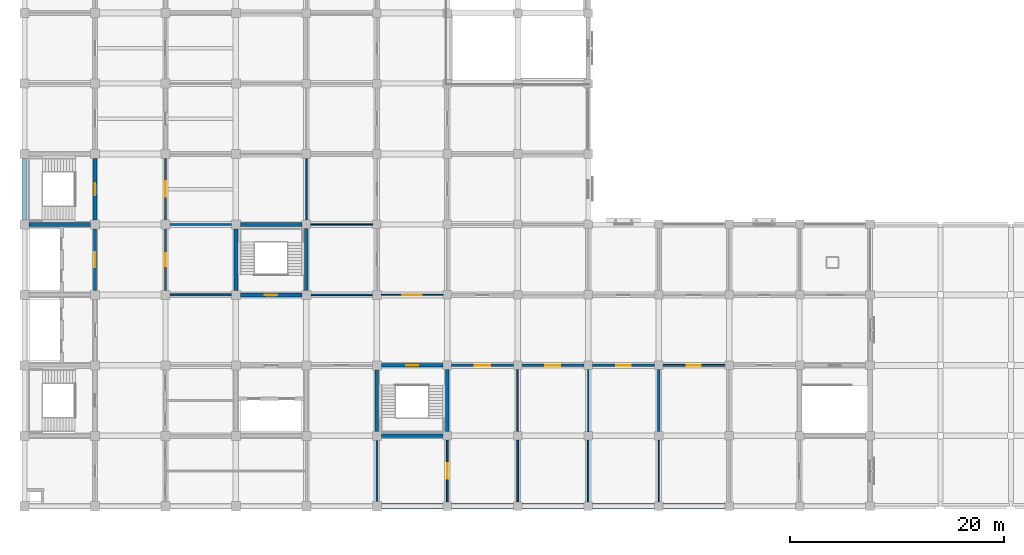
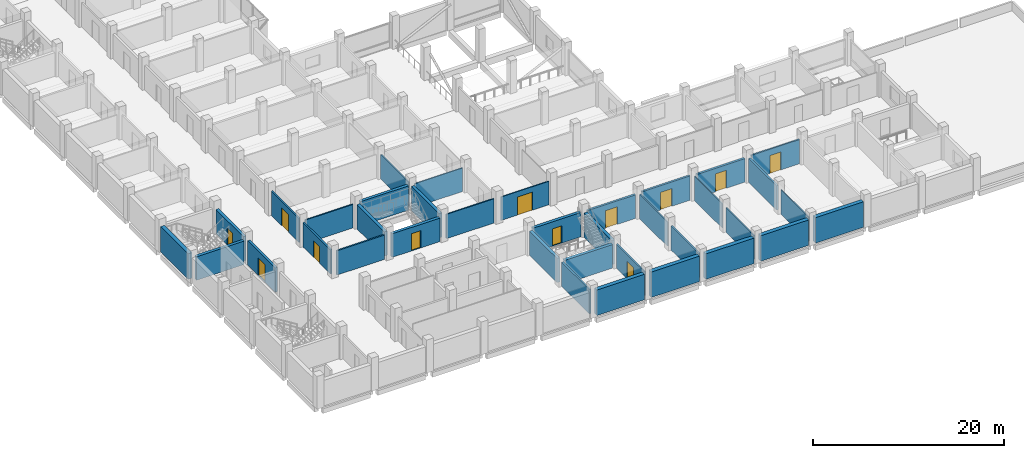
# One storey, part 18 of 30: 37 walls, 12 doors, 12 openings.
"""IFC4 building model written with IfcOpenShell, lengths in metres."""

from ifc_helpers import new_model, si_unit, direction, frame, frame_2d, origin, place, context, subcontext, project, spatial, rectangle, extrude, material, layer, layer_set, type_object, element, fill, save


model = new_model("IFC4")

# Units and contexts
model_context = context("Model", 3, precision=1e-05, world=origin(), true_north=direction((0.0, 1.0)))
body_context = subcontext(model_context, "Body", "Model", "MODEL_VIEW")
ifc_project = project(units=[si_unit("LENGTHUNIT", "METRE"), si_unit("AREAUNIT", "SQUARE_METRE"), si_unit("VOLUMEUNIT", "CUBIC_METRE"), si_unit("PLANEANGLEUNIT", "RADIAN"), si_unit("MASSUNIT", "GRAM", prefix="KILO")], contexts=[model_context])

# Site, building, storey
site_placement = place(None, origin())
site = spatial("IfcSite", under=ifc_project, at=site_placement, CompositionType="ELEMENT")
building_placement = place(site_placement, origin())
building = spatial("IfcBuilding", under=site, at=building_placement, Name="Rusizi Kubbe Research Institute", CompositionType="ELEMENT")
storey_placement = place(building_placement, frame((0.0, 0.0, 10.199951171875)))
storey = spatial("IfcBuildingStorey", under=building, at=storey_placement, Name="L02", CompositionType="ELEMENT", Elevation=10.199951171875)

# Wall
ifc_material_1 = material(Name="Concrete C45/55", Category="concrete")
ifc_layer_1 = layer(ifc_material_1, 0.35009765625)
ifc_layer_set_1 = layer_set([ifc_layer_1], Name="Concrete C45/55")
wall_type_1 = type_object("IfcWallType", Name="CRW-01", PredefinedType="SHEAR", material=ifc_layer_set_1)
wall_1_placement = place(storey_placement, frame((0.425048828125, 26.39990234375, 0.0), z_axis=(0.0, 0.0, 1.0), x_axis=(1.0, 0.0, 0.0)))
element("IfcWall", 1, at=wall_1_placement, inside=storey, type_object=wall_type_1, Name="Stair Core Shear Wall ST2 L02 S", PredefinedType="SHEAR", context=body_context, shape_type="SweptSolid", body=[
    extrude(rectangle(XDim=5.75, YDim=0.35009765625, at=frame_2d((2.875, 0.0))), origin(), (0.0, 0.0, 1.0), 3.0),
])

# Wall, opening, door
wall_2_placement = place(storey_placement, frame((6.60009765625, 26.824951171875, 0.0), z_axis=(0.0, 0.0, 1.0), x_axis=(0.0, 1.0, 0.0)))
wall_2 = element("IfcWall", 2, at=wall_2_placement, inside=storey, type_object=wall_type_1, Name="Stair Core Shear Wall ST2 L02 E", PredefinedType="SHEAR", context=body_context, shape_type="SweptSolid", body=[
    extrude(rectangle(XDim=5.75, YDim=0.35009765625, at=frame_2d((2.875, 0.0))), origin(), (0.0, 0.0, 1.0), 3.10009765625),
])
opening_1_placement = place(wall_2_placement, frame((2.300048828125, 0.0, 0.0)))
opening_1 = element("IfcOpeningElement", 3, at=opening_1_placement, cuts=wall_2, Name="Opening D-02", PredefinedType="OPENING", context=body_context, shape_type="SweptSolid", body=[
    extrude(rectangle(XDim=1.14990234375, YDim=2.199951171875, at=frame_2d((0.574951171875, 1.10009765625))), frame((0.0, 0.18505859375, 0.0), z_axis=(0.0, -1.0, 0.0), x_axis=(1.0, 0.0, 0.0)), (0.0, 0.0, 1.0), 0.3701171875),
])
ifc_material_2 = material(Name="Fire-Rated Steel Frame and Acoustic Timber Leaf", Category="wood")
door_type_1 = type_object("IfcDoorType", Name="ID-STAIR-115", OperationType="NOTDEFINED", PredefinedType="DOOR", material=ifc_material_2)
door_1_placement = place(opening_1_placement, origin())
door_1 = element("IfcDoor", 4, at=door_1_placement, inside=storey, type_object=door_type_1, Name="Exit Stair Door ST2 L02", OperationType="SINGLE_SWING_RIGHT", OverallHeight=2.199951171875, OverallWidth=1.14990234375, PredefinedType="DOOR", context=body_context, shape_type="SweptSolid", body=[
    extrude(rectangle(XDim=1.14990234375, YDim=2.199951171875, at=frame_2d((0.574951171875, 1.10009765625))), frame((0.0, 0.02490234375, 0.0), z_axis=(0.0, -1.0, 0.0), x_axis=(1.0, 0.0, 0.0)), (0.0, 0.0, 1.0), 0.050048828125),
])
fill(opening_1, door_1)

wall_3_placement = place(storey_placement, frame((20.22509765625, 19.800048828125, 0.0), z_axis=(0.0, 0.0, 1.0), x_axis=(1.0, 0.0, 0.0)))
wall_3 = element("IfcWall", 5, at=wall_3_placement, inside=storey, type_object=wall_type_1, Name="Stair Core Shear Wall ST3 L02 S", PredefinedType="SHEAR", context=body_context, shape_type="SweptSolid", body=[
    extrude(rectangle(XDim=5.75, YDim=0.35009765625, at=frame_2d((2.875, 0.0))), origin(), (0.0, 0.0, 1.0), 3.0),
])
opening_2_placement = place(wall_3_placement, frame((2.300048828125, 0.0, 0.0)))
opening_2 = element("IfcOpeningElement", 6, at=opening_2_placement, cuts=wall_3, Name="Opening D-02", PredefinedType="OPENING", context=body_context, shape_type="SweptSolid", body=[
    extrude(rectangle(XDim=1.14990234375, YDim=2.199951171875, at=frame_2d((0.574951171875, 1.10009765625))), frame((0.0, 0.18505859375, 0.0), z_axis=(0.0, -1.0, 0.0), x_axis=(1.0, 0.0, 0.0)), (0.0, 0.0, 1.0), 0.3701171875),
])
door_2_placement = place(opening_2_placement, origin())
door_2 = element("IfcDoor", 7, at=door_2_placement, inside=storey, type_object=door_type_1, Name="Exit Stair Door ST3 L02", OperationType="SINGLE_SWING_RIGHT", OverallHeight=2.199951171875, OverallWidth=1.14990234375, PredefinedType="DOOR", context=body_context, shape_type="SweptSolid", body=[
    extrude(rectangle(XDim=1.14990234375, YDim=2.199951171875, at=frame_2d((0.574951171875, 1.10009765625))), frame((0.0, 0.02490234375, 0.0), z_axis=(0.0, -1.0, 0.0), x_axis=(1.0, 0.0, 0.0)), (0.0, 0.0, 1.0), 0.050048828125),
])
fill(opening_2, door_2)

# Walls
wall_4_placement = place(storey_placement, frame((20.22509765625, 26.39990234375, 0.0), z_axis=(0.0, 0.0, 1.0), x_axis=(1.0, 0.0, 0.0)))
element("IfcWall", 8, at=wall_4_placement, inside=storey, type_object=wall_type_1, Name="Stair Core Shear Wall ST3 L02 N", PredefinedType="SHEAR", context=body_context, shape_type="SweptSolid", body=[
    extrude(rectangle(XDim=5.77490234375, YDim=0.35009765625, at=frame_2d((2.887451171875, 0.0))), origin(), (0.0, 0.0, 1.0), 3.10009765625),
])
wall_5_placement = place(storey_placement, frame((19.800048828125, 20.22509765625, 0.0), z_axis=(0.0, 0.0, 1.0), x_axis=(0.0, 1.0, 0.0)))
element("IfcWall", 9, at=wall_5_placement, inside=storey, type_object=wall_type_1, Name="Stair Core Shear Wall ST3 L02 W", PredefinedType="SHEAR", context=body_context, shape_type="SweptSolid", body=[
    extrude(rectangle(XDim=5.75, YDim=0.35009765625, at=frame_2d((2.875, 0.0))), origin(), (0.0, 0.0, 1.0), 3.10009765625),
])
wall_6_placement = place(storey_placement, frame((26.39990234375, 20.22509765625, 0.0), z_axis=(0.0, 0.0, 1.0), x_axis=(0.0, 1.0, 0.0)))
element("IfcWall", 10, at=wall_6_placement, inside=storey, type_object=wall_type_1, Name="Stair Core Shear Wall ST3 L02 E", PredefinedType="SHEAR", context=body_context, shape_type="SweptSolid", body=[
    extrude(rectangle(XDim=5.77490234375, YDim=0.35009765625, at=frame_2d((2.887451171875, 0.0))), origin(), (0.0, 0.0, 1.0), 3.10009765625),
])
wall_7_placement = place(storey_placement, frame((33.425048828125, 6.60009765625, 0.0), z_axis=(0.0, 0.0, 1.0), x_axis=(1.0, 0.0, 0.0)))
element("IfcWall", 11, at=wall_7_placement, inside=storey, type_object=wall_type_1, Name="Stair Core Shear Wall ST4 L02 S", PredefinedType="SHEAR", context=body_context, shape_type="SweptSolid", body=[
    extrude(rectangle(XDim=5.77490234375, YDim=0.35009765625, at=frame_2d((2.887451171875, 0.0))), origin(), (0.0, 0.0, 1.0), 3.0),
])

# Wall, opening, door
wall_8_placement = place(storey_placement, frame((33.425048828125, 13.199951171875, 0.0), z_axis=(0.0, 0.0, 1.0), x_axis=(1.0, 0.0, 0.0)))
wall_8 = element("IfcWall", 12, at=wall_8_placement, inside=storey, type_object=wall_type_1, Name="Stair Core Shear Wall ST4 L02 N", PredefinedType="SHEAR", context=body_context, shape_type="SweptSolid", body=[
    extrude(rectangle(XDim=5.77490234375, YDim=0.35009765625, at=frame_2d((2.887451171875, 0.0))), origin(), (0.0, 0.0, 1.0), 3.10009765625),
])
opening_3_placement = place(wall_8_placement, frame((2.3125, 0.0, 0.0)))
opening_3 = element("IfcOpeningElement", 13, at=opening_3_placement, cuts=wall_8, Name="Opening D-02", PredefinedType="OPENING", context=body_context, shape_type="SweptSolid", body=[
    extrude(rectangle(XDim=1.14990234375, YDim=2.199951171875, at=frame_2d((0.574951171875, 1.10009765625))), frame((0.0, 0.18505859375, 0.0), z_axis=(0.0, -1.0, 0.0), x_axis=(1.0, 0.0, 0.0)), (0.0, 0.0, 1.0), 0.3701171875),
])
door_3_placement = place(opening_3_placement, origin())
door_3 = element("IfcDoor", 14, at=door_3_placement, inside=storey, type_object=door_type_1, Name="Exit Stair Door ST4 L02", OperationType="SINGLE_SWING_RIGHT", OverallHeight=2.199951171875, OverallWidth=1.14990234375, PredefinedType="DOOR", context=body_context, shape_type="SweptSolid", body=[
    extrude(rectangle(XDim=1.14990234375, YDim=2.199951171875, at=frame_2d((0.574951171875, 1.10009765625))), frame((0.0, 0.02490234375, 0.0), z_axis=(0.0, -1.0, 0.0), x_axis=(1.0, 0.0, 0.0)), (0.0, 0.0, 1.0), 0.050048828125),
])
fill(opening_3, door_3)

# Walls
wall_9_placement = place(storey_placement, frame((33.0, 7.02490234375, 0.0), z_axis=(0.0, 0.0, 1.0), x_axis=(0.0, 1.0, 0.0)))
element("IfcWall", 15, at=wall_9_placement, inside=storey, type_object=wall_type_1, Name="Stair Core Shear Wall ST4 L02 W", PredefinedType="SHEAR", context=body_context, shape_type="SweptSolid", body=[
    extrude(rectangle(XDim=5.75, YDim=0.35009765625, at=frame_2d((2.875, 0.0))), origin(), (0.0, 0.0, 1.0), 3.10009765625),
])
wall_10_placement = place(storey_placement, frame((39.60009765625, 7.0, 0.0), z_axis=(0.0, 0.0, 1.0), x_axis=(0.0, 1.0, 0.0)))
element("IfcWall", 16, at=wall_10_placement, inside=storey, type_object=wall_type_1, Name="Stair Core Shear Wall ST4 L02 E", PredefinedType="SHEAR", context=body_context, shape_type="SweptSolid", body=[
    extrude(rectangle(XDim=5.800048828125, YDim=0.35009765625, at=frame_2d((2.89990234375, 0.0))), origin(), (0.0, 0.0, 1.0), 3.10009765625),
])

# Wall, opening, door
ifc_material_3 = material(Name="Concrete Blockwork Fire Partition", Category="masonry")
ifc_layer_2 = layer(ifc_material_3, 0.22509765625)
ifc_layer_set_2 = layer_set([ifc_layer_2], Name="Concrete Blockwork Fire Partition")
wall_type_2 = type_object("IfcWallType", Name="IW-01", PredefinedType="PARTITIONING", material=ifc_layer_set_2)
wall_11_placement = place(storey_placement, frame((46.60009765625, 13.199951171875, 0.0), z_axis=(0.0, 0.0, 1.0), x_axis=(1.0, 0.0, 0.0)))
wall_11 = element("IfcWall", 17, at=wall_11_placement, inside=storey, type_object=wall_type_2, Name="Interior Partition Wall L02 H7-2", PredefinedType="PARTITIONING", context=body_context, shape_type="SweptSolid", body=[
    extrude(rectangle(XDim=5.7998046875, YDim=0.22509765625, at=frame_2d((2.89990234375, 0.0))), origin(), (0.0, 0.0, 1.0), 3.10009765625),
])
opening_4_placement = place(wall_11_placement, frame((2.199951171875, 0.0, 0.0)))
opening_4 = element("IfcOpeningElement", 18, at=opening_4_placement, cuts=wall_11, Name="Opening D-12", PredefinedType="OPENING", context=body_context, shape_type="SweptSolid", body=[
    extrude(rectangle(XDim=1.39990234375, YDim=2.25, at=frame_2d((0.699951171875, 1.125))), frame((0.0, 0.12255859375, 0.0), z_axis=(0.0, -1.0, 0.0), x_axis=(1.0, 0.0, 0.0)), (0.0, 0.0, 1.0), 0.2451171875),
])
ifc_material_4 = material(Name="Fire-Rated Steel Frame and Acoustic Timber Leaf", Category="wood")
door_type_2 = type_object("IfcDoorType", Name="ID-LAB-140", OperationType="NOTDEFINED", PredefinedType="DOOR", material=ifc_material_4)
door_4_placement = place(opening_4_placement, origin())
door_4 = element("IfcDoor", 19, at=door_4_placement, inside=storey, type_object=door_type_2, Name="Door to Catalysis Wet Laboratory (L02-EWS-03)", OperationType="SINGLE_SWING_RIGHT", OverallHeight=2.25, OverallWidth=1.39990234375, PredefinedType="DOOR", context=body_context, shape_type="SweptSolid", body=[
    extrude(rectangle(XDim=1.39990234375, YDim=2.25, at=frame_2d((0.699951171875, 1.125))), frame((0.0, 0.02490234375, 0.0), z_axis=(0.0, -1.0, 0.0), x_axis=(1.0, 0.0, 0.0)), (0.0, 0.0, 1.0), 0.050048828125),
])
fill(opening_4, door_4)

# Wall
wall_12_placement = place(storey_placement, frame((59.39990234375, 7.0, 0.0), z_axis=(0.0, 0.0, 1.0), x_axis=(0.0, 1.0, 0.0)))
element("IfcWall", 20, at=wall_12_placement, inside=storey, type_object=wall_type_2, Name="Interior Partition Wall L02 V9-1", PredefinedType="PARTITIONING", context=body_context, shape_type="SweptSolid", body=[
    extrude(rectangle(XDim=5.800048828125, YDim=0.22509765625, at=frame_2d((2.89990234375, 0.0))), origin(), (0.0, 0.0, 1.0), 3.10009765625),
])

# Wall, opening, door
ifc_material_5 = material(Name="Insulated Cleanroom Partition", Category="masonry")
ifc_layer_3 = layer(ifc_material_5, 0.195068359375)
ifc_layer_set_3 = layer_set([ifc_layer_3], Name="Insulated Cleanroom Partition")
wall_type_3 = type_object("IfcWallType", Name="IW-02", PredefinedType="PARTITIONING", material=ifc_layer_set_3)
wall_13_placement = place(storey_placement, frame((13.199951171875, 20.22509765625, 0.0), z_axis=(0.0, 0.0, 1.0), x_axis=(0.0, 1.0, 0.0)))
wall_13 = element("IfcWall", 21, at=wall_13_placement, inside=storey, type_object=wall_type_3, Name="Interior Partition Wall L02 V2-3", PredefinedType="PARTITIONING", context=body_context, shape_type="SweptSolid", body=[
    extrude(rectangle(XDim=5.75, YDim=0.195068359375, at=frame_2d((2.875, 0.0))), origin(), (0.0, 0.0, 1.0), 3.10009765625),
])
opening_5_placement = place(wall_13_placement, frame((2.264892578125, 0.0, 0.0)))
opening_5 = element("IfcOpeningElement", 22, at=opening_5_placement, cuts=wall_13, Name="Opening D-21", PredefinedType="OPENING", context=body_context, shape_type="SweptSolid", body=[
    extrude(rectangle(XDim=1.219970703125, YDim=2.14990234375, at=frame_2d((0.60986328125, 1.074951171875))), frame((0.0, 0.107421875, 0.0), z_axis=(0.0, -1.0, 0.0), x_axis=(1.0, 0.0, 0.0)), (0.0, 0.0, 1.0), 0.215087890625),
])
ifc_material_6 = material(Name="Fire-Rated Steel Frame and Acoustic Timber Leaf", Category="wood")
door_type_3 = type_object("IfcDoorType", Name="ID-STR-122", OperationType="NOTDEFINED", PredefinedType="DOOR", material=ifc_material_6)
door_5_placement = place(opening_5_placement, origin())
door_5 = element("IfcDoor", 23, at=door_5_placement, inside=storey, type_object=door_type_3, Name="Door to Research Library and Archives (L02-NW-01)", OperationType="SINGLE_SWING_RIGHT", OverallHeight=2.14990234375, OverallWidth=1.219970703125, PredefinedType="DOOR", context=body_context, shape_type="SweptSolid", body=[
    extrude(rectangle(XDim=1.219970703125, YDim=2.14990234375, at=frame_2d((0.60986328125, 1.074951171875))), frame((0.0, 0.02490234375, 0.0), z_axis=(0.0, -1.0, 0.0), x_axis=(1.0, 0.0, 0.0)), (0.0, 0.0, 1.0), 0.050048828125),
])
fill(opening_5, door_5)

# Wall
wall_14_placement = place(storey_placement, frame((33.0, 0.425048828125, 0.0), z_axis=(0.0, 0.0, 1.0), x_axis=(0.0, 1.0, 0.0)))
element("IfcWall", 24, at=wall_14_placement, inside=storey, type_object=wall_type_3, Name="Interior Partition Wall L02 V5-0", PredefinedType="PARTITIONING", context=body_context, shape_type="SweptSolid", body=[
    extrude(rectangle(XDim=5.75, YDim=0.195068359375, at=frame_2d((2.875, 0.0))), origin(), (0.0, 0.0, 1.0), 3.10009765625),
])

# Wall, opening, door
ifc_material_7 = material(Name="Acoustic Laboratory Partition", Category="masonry")
ifc_layer_4 = layer(ifc_material_7, 0.175048828125)
ifc_layer_set_4 = layer_set([ifc_layer_4], Name="Acoustic Laboratory Partition")
wall_type_4 = type_object("IfcWallType", Name="IW-03", PredefinedType="PARTITIONING", material=ifc_layer_set_4)
wall_15_placement = place(storey_placement, frame((13.199951171875, 26.824951171875, 0.0), z_axis=(0.0, 0.0, 1.0), x_axis=(0.0, 1.0, 0.0)))
wall_15 = element("IfcWall", 25, at=wall_15_placement, inside=storey, type_object=wall_type_4, Name="Interior Partition Wall L02 V2-4", PredefinedType="PARTITIONING", context=body_context, shape_type="SweptSolid", body=[
    extrude(rectangle(XDim=5.75, YDim=0.175048828125, at=frame_2d((2.875, 0.0))), origin(), (0.0, 0.0, 1.0), 3.10009765625),
])
opening_6_placement = place(wall_15_placement, frame((2.14990234375, 0.0, 0.0)))
opening_6 = element("IfcOpeningElement", 26, at=opening_6_placement, cuts=wall_15, Name="Opening D-11", PredefinedType="OPENING", context=body_context, shape_type="SweptSolid", body=[
    extrude(rectangle(XDim=1.449951171875, YDim=2.25, at=frame_2d((0.72509765625, 1.125))), frame((0.0, 0.097412109375, 0.0), z_axis=(0.0, -1.0, 0.0), x_axis=(1.0, 0.0, 0.0)), (0.0, 0.0, 1.0), 0.195068359375),
])
ifc_material_8 = material(Name="Fire-Rated Steel Frame and Acoustic Timber Leaf", Category="wood")
door_type_4 = type_object("IfcDoorType", Name="ID-LAB-145", OperationType="NOTDEFINED", PredefinedType="DOOR", material=ifc_material_8)
door_6_placement = place(opening_6_placement, origin())
door_6 = element("IfcDoor", 27, at=door_6_placement, inside=storey, type_object=door_type_4, Name="Door to Computational Dry Laboratory (L02-NW-02)", OperationType="SINGLE_SWING_LEFT", OverallHeight=2.25, OverallWidth=1.449951171875, PredefinedType="DOOR", context=body_context, shape_type="SweptSolid", body=[
    extrude(rectangle(XDim=1.449951171875, YDim=2.25, at=frame_2d((0.72509765625, 1.125))), frame((0.0, 0.02490234375, 0.0), z_axis=(0.0, -1.0, 0.0), x_axis=(1.0, 0.0, 0.0)), (0.0, 0.0, 1.0), 0.050048828125),
])
fill(opening_6, door_6)

# Wall
wall_16_placement = place(storey_placement, frame((13.625, 19.800048828125, 0.0), z_axis=(0.0, 0.0, 1.0), x_axis=(1.0, 0.0, 0.0)))
element("IfcWall", 28, at=wall_16_placement, inside=storey, type_object=wall_type_4, Name="Interior Partition Wall L02 H2-3", PredefinedType="PARTITIONING", context=body_context, shape_type="SweptSolid", body=[
    extrude(rectangle(XDim=5.75, YDim=0.175048828125, at=frame_2d((2.875, 0.0))), origin(), (0.0, 0.0, 1.0), 3.10009765625),
])

# Wall, opening, door
wall_17_placement = place(storey_placement, frame((39.60009765625, 0.39990234375, 0.0), z_axis=(0.0, 0.0, 1.0), x_axis=(0.0, 1.0, 0.0)))
wall_17 = element("IfcWall", 29, at=wall_17_placement, inside=storey, type_object=wall_type_4, Name="Interior Partition Wall L02 V6-0", PredefinedType="PARTITIONING", context=body_context, shape_type="SweptSolid", body=[
    extrude(rectangle(XDim=5.800048828125, YDim=0.175048828125, at=frame_2d((2.89990234375, 0.0))), origin(), (0.0, 0.0, 1.0), 3.10009765625),
])
opening_7_placement = place(wall_17_placement, frame((2.175048828125, 0.0, 0.0)))
opening_7 = element("IfcOpeningElement", 30, at=opening_7_placement, cuts=wall_17, Name="Opening D-11", PredefinedType="OPENING", context=body_context, shape_type="SweptSolid", body=[
    extrude(rectangle(XDim=1.449951171875, YDim=2.25, at=frame_2d((0.72509765625, 1.125))), frame((0.0, 0.097412109375, 0.0), z_axis=(0.0, -1.0, 0.0), x_axis=(1.0, 0.0, 0.0)), (0.0, 0.0, 1.0), 0.195068359375),
])
door_7_placement = place(opening_7_placement, origin())
door_7 = element("IfcDoor", 31, at=door_7_placement, inside=storey, type_object=door_type_4, Name="Door to Laboratory Instrument Support Room (L02-EWU-05)", OperationType="SINGLE_SWING_LEFT", OverallHeight=2.25, OverallWidth=1.449951171875, PredefinedType="DOOR", context=body_context, shape_type="SweptSolid", body=[
    extrude(rectangle(XDim=1.449951171875, YDim=2.25, at=frame_2d((0.72509765625, 1.125))), frame((0.0, 0.02490234375, 0.0), z_axis=(0.0, -1.0, 0.0), x_axis=(1.0, 0.0, 0.0)), (0.0, 0.0, 1.0), 0.050048828125),
])
fill(opening_7, door_7)

wall_18_placement = place(storey_placement, frame((59.800048828125, 13.199951171875, 0.0), z_axis=(0.0, 0.0, 1.0), x_axis=(1.0, 0.0, 0.0)))
wall_18 = element("IfcWall", 32, at=wall_18_placement, inside=storey, type_object=wall_type_4, Name="Interior Partition Wall L02 H9-2", PredefinedType="PARTITIONING", context=body_context, shape_type="SweptSolid", body=[
    extrude(rectangle(XDim=5.800048828125, YDim=0.175048828125, at=frame_2d((2.89990234375, 0.0))), origin(), (0.0, 0.0, 1.0), 3.10009765625),
])
opening_8_placement = place(wall_18_placement, frame((2.25, 0.0, 0.0)))
opening_8 = element("IfcOpeningElement", 33, at=opening_8_placement, cuts=wall_18, Name="Opening D-14", PredefinedType="OPENING", context=body_context, shape_type="SweptSolid", body=[
    extrude(rectangle(XDim=1.300048828125, YDim=2.300048828125, at=frame_2d((0.64990234375, 1.14990234375))), frame((0.0, 0.097412109375, 0.0), z_axis=(0.0, -1.0, 0.0), x_axis=(1.0, 0.0, 0.0)), (0.0, 0.0, 1.0), 0.195068359375),
])
ifc_material_9 = material(Name="Fire-Rated Steel Frame and Acoustic Timber Leaf", Category="wood")
door_type_5 = type_object("IfcDoorType", Name="ID-LAB-130", OperationType="NOTDEFINED", PredefinedType="DOOR", material=ifc_material_9)
door_8_placement = place(opening_8_placement, origin())
door_8 = element("IfcDoor", 34, at=door_8_placement, inside=storey, type_object=door_type_5, Name="Door to Catalysis Wet Laboratory (L02-EWS-05)", OperationType="SINGLE_SWING_RIGHT", OverallHeight=2.300048828125, OverallWidth=1.300048828125, PredefinedType="DOOR", context=body_context, shape_type="SweptSolid", body=[
    extrude(rectangle(XDim=1.300048828125, YDim=2.300048828125, at=frame_2d((0.64990234375, 1.14990234375))), frame((0.0, 0.02490234375, 0.0), z_axis=(0.0, -1.0, 0.0), x_axis=(1.0, 0.0, 0.0)), (0.0, 0.0, 1.0), 0.050048828125),
])
fill(opening_8, door_8)

# Walls
ifc_material_10 = material(Name="Fire-Rated Corridor Partition", Category="masonry")
ifc_layer_5 = layer(ifc_material_10, 0.155029296875)
ifc_layer_set_5 = layer_set([ifc_layer_5], Name="Fire-Rated Corridor Partition")
wall_type_5 = type_object("IfcWallType", Name="IW-04", PredefinedType="PARTITIONING", material=ifc_layer_set_5)
wall_19_placement = place(storey_placement, frame((13.625, 26.39990234375, 0.0), z_axis=(0.0, 0.0, 1.0), x_axis=(1.0, 0.0, 0.0)))
element("IfcWall", 35, at=wall_19_placement, inside=storey, type_object=wall_type_5, Name="Interior Partition Wall L02 H2-4", PredefinedType="PARTITIONING", context=body_context, shape_type="SweptSolid", body=[
    extrude(rectangle(XDim=5.75, YDim=0.155029296875, at=frame_2d((2.875, 0.0))), origin(), (0.0, 0.0, 1.0), 3.0),
])
wall_20_placement = place(storey_placement, frame((46.199951171875, 0.39990234375, 0.0), z_axis=(0.0, 0.0, 1.0), x_axis=(0.0, 1.0, 0.0)))
element("IfcWall", 36, at=wall_20_placement, inside=storey, type_object=wall_type_5, Name="Interior Partition Wall L02 V7-0", PredefinedType="PARTITIONING", context=body_context, shape_type="SweptSolid", body=[
    extrude(rectangle(XDim=5.800048828125, YDim=0.155029296875, at=frame_2d((2.89990234375, 0.0))), origin(), (0.0, 0.0, 1.0), 3.10009765625),
])
ifc_material_11 = material(Name="Write-up Glazed Acoustic Partition", Category="masonry")
ifc_layer_6 = layer(ifc_material_11, 0.139892578125)
ifc_layer_set_6 = layer_set([ifc_layer_6], Name="Write-up Glazed Acoustic Partition")
wall_type_6 = type_object("IfcWallType", Name="IW-05", PredefinedType="PARTITIONING", material=ifc_layer_set_6)
wall_21_placement = place(storey_placement, frame((26.39990234375, 26.800048828125, 0.0), z_axis=(0.0, 0.0, 1.0), x_axis=(0.0, 1.0, 0.0)))
element("IfcWall", 37, at=wall_21_placement, inside=storey, type_object=wall_type_6, Name="Interior Partition Wall L02 V4-4", PredefinedType="PARTITIONING", context=body_context, shape_type="SweptSolid", body=[
    extrude(rectangle(XDim=5.800048828125, YDim=0.139892578125, at=frame_2d((2.89990234375, 0.0))), origin(), (0.0, 0.0, 1.0), 3.10009765625),
])
wall_22_placement = place(storey_placement, frame((26.824951171875, 19.800048828125, 0.0), z_axis=(0.0, 0.0, 1.0), x_axis=(1.0, 0.0, 0.0)))
element("IfcWall", 38, at=wall_22_placement, inside=storey, type_object=wall_type_6, Name="Interior Partition Wall L02 H4-3", PredefinedType="PARTITIONING", context=body_context, shape_type="SweptSolid", body=[
    extrude(rectangle(XDim=5.75, YDim=0.139892578125, at=frame_2d((2.875, 0.0))), origin(), (0.0, 0.0, 1.0), 3.10009765625),
])
for number, where, z_axis, x_axis, name in (
    (39, (46.199951171875, 7.0, 0.0), (0.0, 0.0, 1.0), (0.0, 1.0, 0.0), "Interior Partition Wall L02 V7-1"),
    (40, (52.800048828125, 0.39990234375, 0.0), (0.0, 0.0, 1.0), (0.0, 1.0, 0.0), "Interior Partition Wall L02 V8-0"),
):
    element("IfcWall", number, at=place(storey_placement, frame(where, z_axis=z_axis, x_axis=x_axis)), inside=storey, type_object=wall_type_6, Name=name, PredefinedType="PARTITIONING", context=body_context, shape_type="SweptSolid", body=[
        extrude(rectangle(XDim=5.800048828125, YDim=0.139892578125, at=frame_2d((2.89990234375, 0.0))), origin(), (0.0, 0.0, 1.0), 3.10009765625),
    ])
ifc_material_12 = material(Name="Sub-Suite Fire Partition", Category="masonry")
ifc_layer_7 = layer(ifc_material_12, 0.110107421875)
ifc_layer_set_7 = layer_set([ifc_layer_7], Name="Sub-Suite Fire Partition")
wall_type_7 = type_object("IfcWallType", Name="IW-07", PredefinedType="PARTITIONING", material=ifc_layer_set_7)
wall_23_placement = place(storey_placement, frame((26.800048828125, 26.39990234375, 0.0), z_axis=(0.0, 0.0, 1.0), x_axis=(1.0, 0.0, 0.0)))
element("IfcWall", 41, at=wall_23_placement, inside=storey, type_object=wall_type_7, Name="Interior Partition Wall L02 H4-4", PredefinedType="PARTITIONING", context=body_context, shape_type="SweptSolid", body=[
    extrude(rectangle(XDim=5.800048828125, YDim=0.110107421875, at=frame_2d((2.89990234375, 0.0))), origin(), (0.0, 0.0, 1.0), 3.0),
])

# Wall, opening, door
wall_24_placement = place(storey_placement, frame((33.425048828125, 19.800048828125, 0.0), z_axis=(0.0, 0.0, 1.0), x_axis=(1.0, 0.0, 0.0)))
wall_24 = element("IfcWall", 42, at=wall_24_placement, inside=storey, type_object=wall_type_7, Name="Interior Partition Wall L02 H5-3", PredefinedType="PARTITIONING", context=body_context, shape_type="SweptSolid", body=[
    extrude(rectangle(XDim=5.77490234375, YDim=0.110107421875, at=frame_2d((2.887451171875, 0.0))), origin(), (0.0, 0.0, 1.0), 3.0),
])
opening_9_placement = place(wall_24_placement, frame((1.97509765625, 0.0, 0.0)))
opening_9 = element("IfcOpeningElement", 43, at=opening_9_placement, cuts=wall_24, Name="Opening D-08", PredefinedType="OPENING", context=body_context, shape_type="SweptSolid", body=[
    extrude(rectangle(XDim=1.800048828125, YDim=2.300048828125, at=frame_2d((0.89990234375, 1.14990234375))), frame((0.0, 0.06494140625, 0.0), z_axis=(0.0, -1.0, 0.0), x_axis=(1.0, 0.0, 0.0)), (0.0, 0.0, 1.0), 0.130126953125),
])
ifc_material_13 = material(Name="Fire-Rated Steel Frame and Acoustic Timber Leaf", Category="wood")
door_type_6 = type_object("IfcDoorType", Name="ID-DBL-180", OperationType="DOUBLE_DOOR_SINGLE_SWING", PredefinedType="DOOR", material=ifc_material_13)
door_9_placement = place(opening_9_placement, origin())
door_9 = element("IfcDoor", 44, at=door_9_placement, inside=storey, type_object=door_type_6, Name="Door to Revak Cloister Gallery (L02-GAL-01)", OperationType="DOUBLE_DOOR_SINGLE_SWING", OverallHeight=2.300048828125, OverallWidth=1.800048828125, PredefinedType="DOOR", context=body_context, shape_type="SweptSolid", body=[
    extrude(rectangle(XDim=1.800048828125, YDim=2.300048828125, at=frame_2d((0.89990234375, 1.14990234375))), frame((0.0, 0.02490234375, 0.0), z_axis=(0.0, -1.0, 0.0), x_axis=(1.0, 0.0, 0.0)), (0.0, 0.0, 1.0), 0.050048828125),
])
fill(opening_9, door_9)

# Walls
for number, where, z_axis, x_axis, name in (
    (45, (52.800048828125, 7.0, 0.0), (0.0, 0.0, 1.0), (0.0, 1.0, 0.0), "Interior Partition Wall L02 V8-1"),
    (46, (59.39990234375, 0.39990234375, 0.0), (0.0, 0.0, 1.0), (0.0, 1.0, 0.0), "Interior Partition Wall L02 V9-0"),
):
    element("IfcWall", number, at=place(storey_placement, frame(where, z_axis=z_axis, x_axis=x_axis)), inside=storey, type_object=wall_type_7, Name=name, PredefinedType="PARTITIONING", context=body_context, shape_type="SweptSolid", body=[
        extrude(rectangle(XDim=5.800048828125, YDim=0.110107421875, at=frame_2d((2.89990234375, 0.0))), origin(), (0.0, 0.0, 1.0), 3.10009765625),
    ])
ifc_material_14 = material(Name="Concrete C40/50", Category="concrete")
ifc_layer_8 = layer(ifc_material_14, 0.47998046875)
ifc_layer_set_8 = layer_set([ifc_layer_8], Name="Concrete C40/50")
wall_type_8 = type_object("IfcWallType", Name="PW-01", PredefinedType="SOLIDWALL", material=ifc_layer_set_8)
wall_25_placement = place(storey_placement, frame((0.0, 26.824951171875, 0.0), z_axis=(0.0, 0.0, 1.0), x_axis=(0.0, 1.0, 0.0)))
element("IfcWall", 47, at=wall_25_placement, inside=storey, type_object=wall_type_8, Name="Blind Party Wall L02 V0-4", PredefinedType="SOLIDWALL", context=body_context, shape_type="SweptSolid", body=[
    extrude(rectangle(XDim=5.75, YDim=0.47998046875, at=frame_2d((2.875, 0.0))), origin(), (0.0, 0.0, 1.0), 3.25),
])
wall_26_placement = place(storey_placement, frame((33.425048828125, 0.0, 0.0), z_axis=(0.0, 0.0, 1.0), x_axis=(1.0, 0.0, 0.0)))
element("IfcWall", 48, at=wall_26_placement, inside=storey, type_object=wall_type_8, Name="Blind Party Wall L02 H5-0", PredefinedType="SOLIDWALL", context=body_context, shape_type="SweptSolid", body=[
    extrude(rectangle(XDim=5.77490234375, YDim=0.47998046875, at=frame_2d((2.887451171875, 0.0))), origin(), (0.0, 0.0, 1.0), 3.25),
])
wall_27_placement = place(storey_placement, frame((40.0, 0.0, 0.0), z_axis=(0.0, 0.0, 1.0), x_axis=(1.0, 0.0, 0.0)))
element("IfcWall", 49, at=wall_27_placement, inside=storey, type_object=wall_type_8, Name="Blind Party Wall L02 H6-0", PredefinedType="SOLIDWALL", context=body_context, shape_type="SweptSolid", body=[
    extrude(rectangle(XDim=5.800048828125, YDim=0.47998046875, at=frame_2d((2.89990234375, 0.0))), origin(), (0.0, 0.0, 1.0), 3.25),
])
wall_28_placement = place(storey_placement, frame((46.60009765625, 0.0, 0.0), z_axis=(0.0, 0.0, 1.0), x_axis=(1.0, 0.0, 0.0)))
element("IfcWall", 50, at=wall_28_placement, inside=storey, type_object=wall_type_8, Name="Blind Party Wall L02 H7-0", PredefinedType="SOLIDWALL", context=body_context, shape_type="SweptSolid", body=[
    extrude(rectangle(XDim=5.7998046875, YDim=0.47998046875, at=frame_2d((2.89990234375, 0.0))), origin(), (0.0, 0.0, 1.0), 3.25),
])
for number, where, z_axis, x_axis, name in (
    (51, (53.199951171875, 0.0, 0.0), (0.0, 0.0, 1.0), (1.0, 0.0, 0.0), "Blind Party Wall L02 H8-0"),
    (52, (59.800048828125, 0.0, 0.0), (0.0, 0.0, 1.0), (1.0, 0.0, 0.0), "Blind Party Wall L02 H9-0"),
):
    element("IfcWall", number, at=place(storey_placement, frame(where, z_axis=z_axis, x_axis=x_axis)), inside=storey, type_object=wall_type_8, Name=name, PredefinedType="SOLIDWALL", context=body_context, shape_type="SweptSolid", body=[
        extrude(rectangle(XDim=5.800048828125, YDim=0.47998046875, at=frame_2d((2.89990234375, 0.0))), origin(), (0.0, 0.0, 1.0), 3.25),
    ])

# Wall, opening, door
ifc_material_15 = material(Name="Concrete C40/50", Category="concrete")
ifc_layer_9 = layer(ifc_material_15, 0.27490234375)
ifc_layer_set_9 = layer_set([ifc_layer_9], Name="Concrete C40/50")
wall_type_9 = type_object("IfcWallType", Name="SHW-01", PredefinedType="SHEAR", material=ifc_layer_set_9)
wall_29_placement = place(storey_placement, frame((6.60009765625, 20.22509765625, 0.0), z_axis=(0.0, 0.0, 1.0), x_axis=(0.0, 1.0, 0.0)))
wall_29 = element("IfcWall", 53, at=wall_29_placement, inside=storey, type_object=wall_type_9, Name="Passenger Lift Lobby Wall L02", PredefinedType="SHEAR", context=body_context, shape_type="SweptSolid", body=[
    extrude(rectangle(XDim=5.75, YDim=0.27490234375, at=frame_2d((2.875, 0.0))), origin(), (0.0, 0.0, 1.0), 3.10009765625),
])
opening_10_placement = place(wall_29_placement, frame((2.1650390625, 0.0, 0.0)))
opening_10 = element("IfcOpeningElement", 54, at=opening_10_placement, cuts=wall_29, Name="Opening D-22", PredefinedType="OPENING", context=body_context, shape_type="SweptSolid", body=[
    extrude(rectangle(XDim=1.419921875, YDim=2.199951171875, at=frame_2d((0.7099609375, 1.10009765625))), frame((0.0, 0.1474609375, 0.0), z_axis=(0.0, -1.0, 0.0), x_axis=(1.0, 0.0, 0.0)), (0.0, 0.0, 1.0), 0.294921875),
])
ifc_material_16 = material(Name="Fire-Rated Steel Frame and Acoustic Timber Leaf", Category="wood")
door_type_7 = type_object("IfcDoorType", Name="ID-STR-142", OperationType="DOUBLE_DOOR_SINGLE_SWING", PredefinedType="DOOR", material=ifc_material_16)
door_10_placement = place(opening_10_placement, origin())
door_10 = element("IfcDoor", 55, at=door_10_placement, inside=storey, type_object=door_type_7, Name="Door to Passenger Lift Lobby (L02-LBY-01)", OperationType="DOUBLE_DOOR_SINGLE_SWING", OverallHeight=2.199951171875, OverallWidth=1.419921875, PredefinedType="DOOR", context=body_context, shape_type="SweptSolid", body=[
    extrude(rectangle(XDim=1.419921875, YDim=2.199951171875, at=frame_2d((0.7099609375, 1.10009765625))), frame((0.0, 0.02490234375, 0.0), z_axis=(0.0, -1.0, 0.0), x_axis=(1.0, 0.0, 0.0)), (0.0, 0.0, 1.0), 0.050048828125),
])
fill(opening_10, door_10)

ifc_material_17 = material(Name="Concrete C40/50", Category="concrete")
ifc_layer_10 = layer(ifc_material_17, 0.2548828125)
ifc_layer_set_10 = layer_set([ifc_layer_10], Name="Concrete C40/50")
wall_type_10 = type_object("IfcWallType", Name="SHW-02", PredefinedType="SHEAR", material=ifc_layer_set_10)
wall_30_placement = place(storey_placement, frame((40.0, 13.199951171875, 0.0), z_axis=(0.0, 0.0, 1.0), x_axis=(1.0, 0.0, 0.0)))
wall_30 = element("IfcWall", 56, at=wall_30_placement, inside=storey, type_object=wall_type_10, Name="Interior Partition Wall L02 H6-2", PredefinedType="SHEAR", context=body_context, shape_type="SweptSolid", body=[
    extrude(rectangle(XDim=5.800048828125, YDim=0.2548828125, at=frame_2d((2.89990234375, 0.0))), origin(), (0.0, 0.0, 1.0), 3.0),
])
opening_11_placement = place(wall_30_placement, frame((2.175048828125, 0.0, 0.0)))
opening_11 = element("IfcOpeningElement", 57, at=opening_11_placement, cuts=wall_30, Name="Opening D-11", PredefinedType="OPENING", context=body_context, shape_type="SweptSolid", body=[
    extrude(rectangle(XDim=1.449951171875, YDim=2.25, at=frame_2d((0.72509765625, 1.125))), frame((0.0, 0.137451171875, 0.0), z_axis=(0.0, -1.0, 0.0), x_axis=(1.0, 0.0, 0.0)), (0.0, 0.0, 1.0), 0.27490234375),
])
door_11_placement = place(opening_11_placement, origin())
door_11 = element("IfcDoor", 58, at=door_11_placement, inside=storey, type_object=door_type_4, Name="Door to Clean Room Process Suite (L02-EWS-02)", OperationType="SINGLE_SWING_LEFT", OverallHeight=2.25, OverallWidth=1.449951171875, PredefinedType="DOOR", context=body_context, shape_type="SweptSolid", body=[
    extrude(rectangle(XDim=1.449951171875, YDim=2.25, at=frame_2d((0.72509765625, 1.125))), frame((0.0, 0.02490234375, 0.0), z_axis=(0.0, -1.0, 0.0), x_axis=(1.0, 0.0, 0.0)), (0.0, 0.0, 1.0), 0.050048828125),
])
fill(opening_11, door_11)

wall_31_placement = place(storey_placement, frame((53.199951171875, 13.199951171875, 0.0), z_axis=(0.0, 0.0, 1.0), x_axis=(1.0, 0.0, 0.0)))
wall_31 = element("IfcWall", 59, at=wall_31_placement, inside=storey, type_object=wall_type_10, Name="Interior Partition Wall L02 H8-2", PredefinedType="SHEAR", context=body_context, shape_type="SweptSolid", body=[
    extrude(rectangle(XDim=5.800048828125, YDim=0.2548828125, at=frame_2d((2.89990234375, 0.0))), origin(), (0.0, 0.0, 1.0), 3.0),
])
opening_12_placement = place(wall_31_placement, frame((2.22509765625, 0.0, 0.0)))
opening_12 = element("IfcOpeningElement", 60, at=opening_12_placement, cuts=wall_31, Name="Opening D-13", PredefinedType="OPENING", context=body_context, shape_type="SweptSolid", body=[
    extrude(rectangle(XDim=1.35009765625, YDim=2.300048828125, at=frame_2d((0.675048828125, 1.14990234375))), frame((0.0, 0.137451171875, 0.0), z_axis=(0.0, -1.0, 0.0), x_axis=(1.0, 0.0, 0.0)), (0.0, 0.0, 1.0), 0.27490234375),
])
ifc_material_18 = material(Name="Fire-Rated Steel Frame and Acoustic Timber Leaf", Category="wood")
door_type_8 = type_object("IfcDoorType", Name="ID-LAB-135", OperationType="NOTDEFINED", PredefinedType="DOOR", material=ifc_material_18)
door_12_placement = place(opening_12_placement, origin())
door_12 = element("IfcDoor", 61, at=door_12_placement, inside=storey, type_object=door_type_8, Name="Door to Clean Room Process Suite (L02-EWS-04)", OperationType="SINGLE_SWING_LEFT", OverallHeight=2.300048828125, OverallWidth=1.35009765625, PredefinedType="DOOR", context=body_context, shape_type="SweptSolid", body=[
    extrude(rectangle(XDim=1.35009765625, YDim=2.300048828125, at=frame_2d((0.675048828125, 1.14990234375))), frame((0.0, 0.02490234375, 0.0), z_axis=(0.0, -1.0, 0.0), x_axis=(1.0, 0.0, 0.0)), (0.0, 0.0, 1.0), 0.050048828125),
])
fill(opening_12, door_12)

save(model, "model.ifc")
